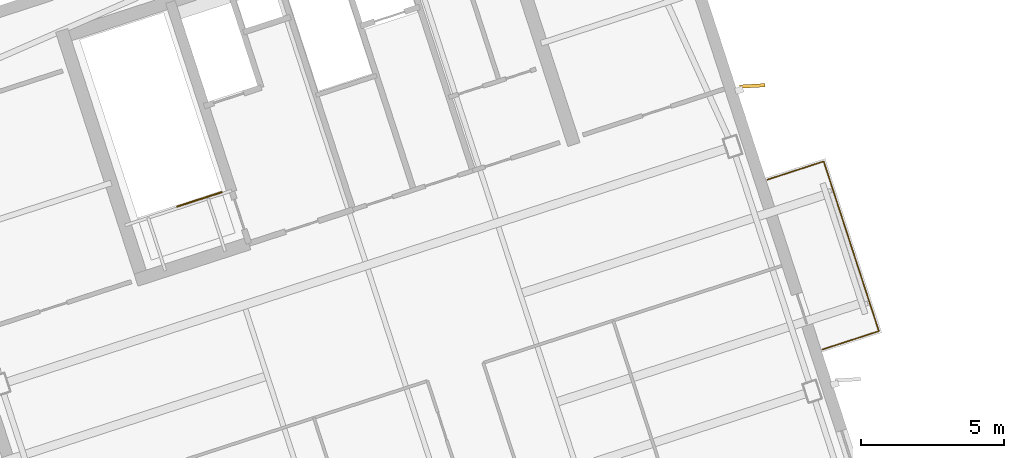
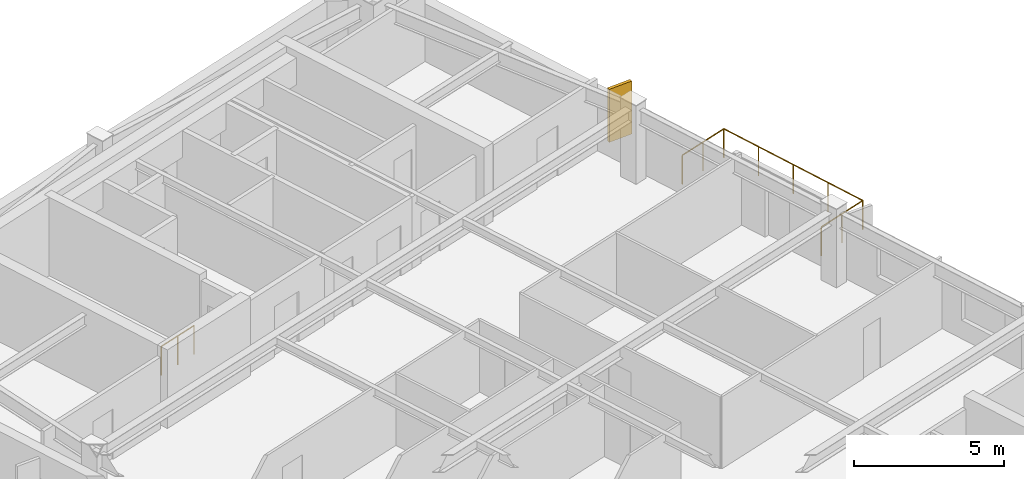
# One storey, part 17 of 17: 2 railings, 1 shading device.
"""IFC4 building model written with IfcOpenShell, lengths in metres."""

from ifc_helpers import new_model, si_unit, direction, frame, origin, origin_2d, place, context, subcontext, project, spatial, rectangle, circle, extrude, material, layer, layer_set, type_object, element, save


model = new_model("IFC4")

# Units and contexts
model_context = context("Model", 3, precision=1e-05, world=origin(), true_north=direction((0.0, 1.0)))
body_context = subcontext(model_context, "Body", "Model", "MODEL_VIEW")
ifc_project = project(units=[si_unit("LENGTHUNIT", "METRE"), si_unit("AREAUNIT", "SQUARE_METRE"), si_unit("VOLUMEUNIT", "CUBIC_METRE"), si_unit("PLANEANGLEUNIT", "RADIAN"), si_unit("MASSUNIT", "GRAM", prefix="KILO")], contexts=[model_context])

# Site, building, storey
site_placement = place(None, origin())
site = spatial("IfcSite", under=ifc_project, at=site_placement, CompositionType="ELEMENT")
building_placement = place(site_placement, origin())
building = spatial("IfcBuilding", under=site, at=building_placement, Name="Qiaolan Cultural Towers", CompositionType="ELEMENT")
storey_placement = place(building_placement, frame((0.0, 0.0, 247.199951171875)))
storey = spatial("IfcBuildingStorey", under=building, at=storey_placement, Name="L67", CompositionType="ELEMENT", Elevation=247.199951171875)

# Railings
ifc_material_1 = material(Name="Laminated SentryGlas & Stainless Steel S31608 Balustrade", Category="steel")
railing_type_1 = type_object("IfcRailingType", Name="GRD-TERR-1200", PredefinedType="BALUSTRADE", material=ifc_material_1)
railing_1_placement = place(storey_placement, frame((103.156982421875, 39.620849609375, 0.0)))
element("IfcRailing", 1, at=railing_1_placement, inside=storey, type_object=railing_type_1, Name="L67 T2 Tree Balcony Guardrail E", PredefinedType="BALUSTRADE", context=body_context, shape_type="SweptSolid", body=[
    extrude(circle(Radius=0.02392578125, at=origin_2d()), frame((0.0, 0.0, 1.17578125), z_axis=(0.951061799618, 0.309000733507, 0.0), x_axis=(-0.309000733507, 0.951061799618, 0.0)), (0.0, 0.0, 1.0), 2.070068359375),
    extrude(circle(Radius=0.02392578125, at=origin_2d()), frame((1.96875, 0.6396484375, 1.17578125), z_axis=(-0.30901175762, 0.951058217804, 0.0), x_axis=(-0.951058217804, -0.30901175762, 0.0)), (0.0, 0.0, 1.0), 6.239990234375),
    extrude(circle(Radius=0.02392578125, at=origin_2d()), frame((0.04052734375, 6.57421875, 1.17578125), z_axis=(-0.951061799618, -0.309000733507, 0.0), x_axis=(0.309000733507, -0.951061799618, 0.0)), (0.0, 0.0, 1.0), 2.070068359375),
    extrude(circle(Radius=0.02099609375, at=origin_2d()), origin(), (0.0, 0.0, 1.0), 1.15185546875),
    extrude(circle(Radius=0.02099609375, at=origin_2d()), frame((0.984375, 0.31982421875, 0.0)), (0.0, 0.0, 1.0), 1.15185546875),
    extrude(circle(Radius=0.02099609375, at=origin_2d()), frame((1.96875, 0.6396484375, 0.0)), (0.0, 0.0, 1.0), 1.15185546875),
    extrude(circle(Radius=0.02099609375, at=origin_2d()), frame((1.48681640625, 2.123291015625, 0.0)), (0.0, 0.0, 1.0), 1.15185546875),
    extrude(circle(Radius=0.02099609375, at=origin_2d()), frame((1.004638671875, 3.60693359375, 0.0)), (0.0, 0.0, 1.0), 1.15185546875),
    extrude(circle(Radius=0.02099609375, at=origin_2d()), frame((0.5224609375, 5.090576171875, 0.0)), (0.0, 0.0, 1.0), 1.15185546875),
    extrude(circle(Radius=0.02099609375, at=origin_2d()), frame((0.04052734375, 6.57421875, 0.0)), (0.0, 0.0, 1.0), 1.15185546875),
    extrude(circle(Radius=0.02099609375, at=origin_2d()), frame((-0.94384765625, 6.25439453125, 0.0)), (0.0, 0.0, 1.0), 1.15185546875),
    extrude(circle(Radius=0.02099609375, at=origin_2d()), frame((-1.92822265625, 5.9345703125, 0.0)), (0.0, 0.0, 1.0), 1.15185546875),
])
ifc_material_2 = material(Name="Galvanized Painted Steel Stair Guardrail", Category="steel")
railing_type_2 = type_object("IfcRailingType", Name="RL-STAIR-GRD", PredefinedType="GUARDRAIL", material=ifc_material_2)
railing_2_placement = place(storey_placement, frame((82.159423828125, 45.12158203125, 0.0)))
element("IfcRailing", 2, at=railing_2_placement, inside=storey, type_object=railing_type_2, Name="L67 ST-E2 top well guard 1", PredefinedType="GUARDRAIL", context=body_context, shape_type="SweptSolid", body=[
    extrude(circle(Radius=0.02392578125, at=origin_2d()), frame((0.0, 0.0, 1.17578125), z_axis=(-0.951038444952, -0.309072606719, 0.0), x_axis=(0.309072606719, -0.951038444952, 0.0)), (0.0, 0.0, 1.0), 1.639892578125),
    extrude(circle(Radius=0.02099609375, at=origin_2d()), origin(), (0.0, 0.0, 1.0), 1.15185546875),
    extrude(circle(Radius=0.02099609375, at=origin_2d()), frame((-0.77978515625, -0.25341796875, 0.0)), (0.0, 0.0, 1.0), 1.15185546875),
    extrude(circle(Radius=0.02099609375, at=origin_2d()), frame((-1.5595703125, -0.5068359375, 0.0)), (0.0, 0.0, 1.0), 1.15185546875),
])

# Shading device
ifc_material_3 = material(Name="Light Limestone Precast Vertical Fin", Category="masonry")
ifc_layer = layer(ifc_material_3, 0.1201171875)
ifc_layer_set = layer_set([ifc_layer], Name="Light Limestone Precast Vertical Fin")
shading_device_type = type_object("IfcShadingDeviceType", Name="SHD-FIN-WHITE", PredefinedType="USERDEFINED", material=ifc_layer_set)
shading_device_placement = place(storey_placement, frame((100.7001953125, 48.83251953125, 0.10009765625), z_axis=(0.0, 0.0, 1.0), x_axis=(0.998413479427, 0.056307407143, 0.0)))
element("IfcShadingDevice", 3, at=shading_device_placement, inside=storey, type_object=shading_device_type, Name="L67 T2 Expressive Precast Vertical Fin E3", ObjectType="FIN", PredefinedType="USERDEFINED", context=body_context, shape_type="SweptSolid", body=[
    extrude(rectangle(XDim=0.89990234375, YDim=0.1201171875, at=origin_2d()), origin(), (0.0, 0.0, 1.0), 2.159912109375),
])

save(model, "model.ifc")
